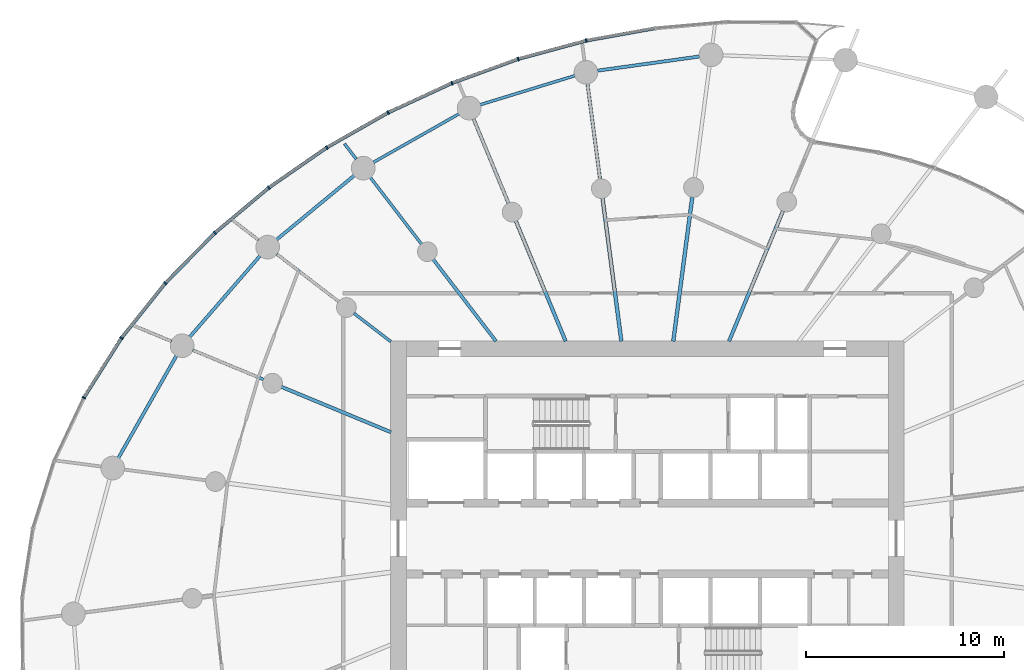
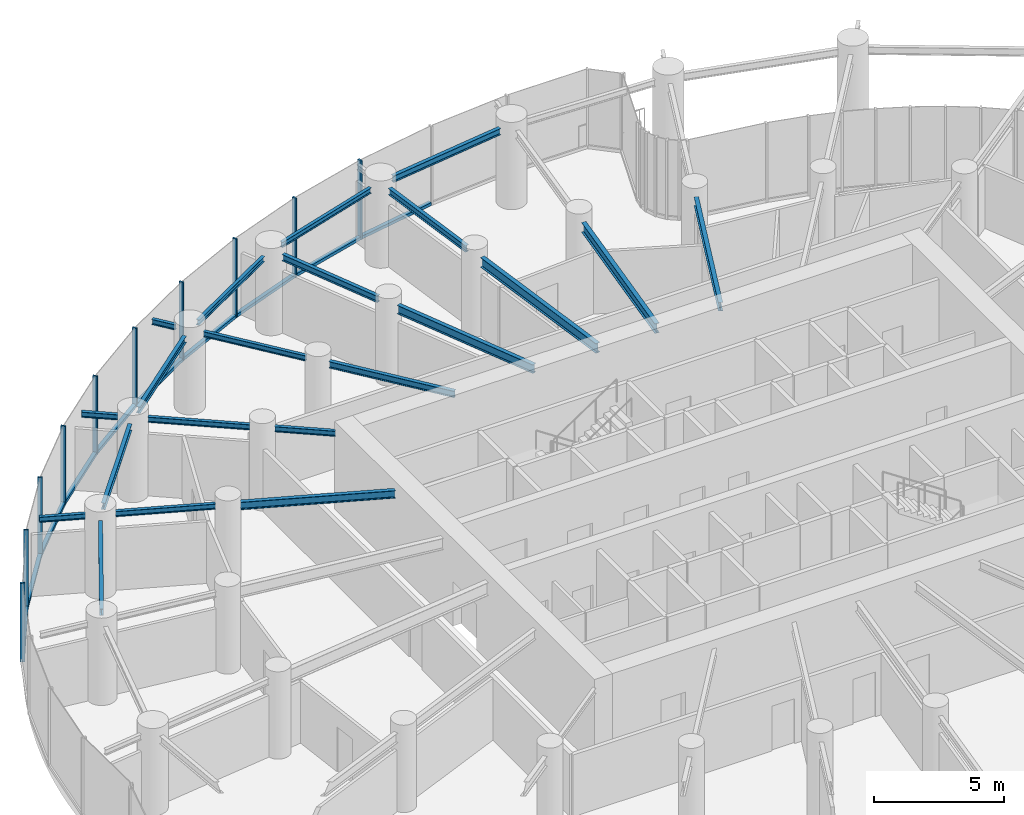
# One storey, part 6 of 21: 21 beams, 20 members, 3 elements without a shape of their own.
"""IFC4 building model written with IfcOpenShell, lengths in metres."""

from ifc_helpers import new_model, si_unit, direction, frame, origin, origin_2d, place, context, subcontext, project, spatial, rectangle, i_section, extrude, source, transform, mapped, material, layer, layer_set, material_profile, profile_set, type_object, element, aggregate, save


model = new_model("IFC4")

# Units and contexts
model_context = context("Model", 3, precision=1e-05, world=origin(), true_north=direction((0.0, 1.0)))
body_context = subcontext(model_context, "Body", "Model", "MODEL_VIEW")
ifc_project = project(units=[si_unit("LENGTHUNIT", "METRE"), si_unit("AREAUNIT", "SQUARE_METRE"), si_unit("VOLUMEUNIT", "CUBIC_METRE"), si_unit("PLANEANGLEUNIT", "RADIAN"), si_unit("MASSUNIT", "GRAM", prefix="KILO")], contexts=[model_context])

# Site, building, storey
site_placement = place(None, origin())
site = spatial("IfcSite", under=ifc_project, at=site_placement, CompositionType="ELEMENT")
building_placement = place(site_placement, origin())
building = spatial("IfcBuilding", under=site, at=building_placement, Name="Spindrift Exchange Tower", CompositionType="ELEMENT")
storey_placement = place(building_placement, frame((0.0, 0.0, 83.89990234375)))
storey = spatial("IfcBuildingStorey", under=building, at=storey_placement, Name="L19", CompositionType="ELEMENT", Elevation=83.89990234375)

# Beams
ifc_material_1 = material(Name="Steel Grade 300", Category="steel")
ifc_material_profile_1 = material_profile(ifc_material_1, i_section(OverallWidth=0.177978515625, OverallDepth=0.406005859375, WebThickness=0.0078125, FlangeThickness=0.0126953125, FilletRadius=0.013916015625, at=origin_2d()), Name="410UB59.7")
ifc_profile_set_1 = profile_set([ifc_material_profile_1], Name="Steel Grade 300")
beam_type_1 = type_object("IfcBeamType", Name="Floor Beam 410UB59.7 Steel Grade 300", PredefinedType="BEAM", material=ifc_profile_set_1)
shared_shape_1 = source(origin(), body_context, "Body", "SweptSolid", [
    extrude(i_section(OverallWidth=0.177978515625, OverallDepth=0.406005859375, WebThickness=0.0078125, FlangeThickness=0.0126953125, FilletRadius=0.013916015625, at=origin_2d()), origin(), (0.0, 0.0, 1.0), 7.150634765625),
])
beam_1_placement = place(storey_placement, frame((56.134521484375, 57.9814453125, 3.4970703125), z_axis=(0.382665393358, 0.923887004306, 0.0), x_axis=(-0.923887004306, 0.382665393358, 0.0)))
element("IfcBeam", 1, at=beam_1_placement, inside=storey, type_object=beam_type_1, Name="L19 radial beam R05A", PredefinedType="BEAM", context=body_context, shape_type="MappedRepresentation", body=[
    mapped(shared_shape_1, transform((0.0, 0.0, 0.0), scale=1.0)),
])
ifc_material_profile_2 = material_profile(ifc_material_1, i_section(OverallWidth=0.18994140625, OverallDepth=0.45703125, WebThickness=0.009033203125, FlangeThickness=0.014404296875, FilletRadius=0.013916015625, at=origin_2d()), Name="460UB74.6")
ifc_profile_set_2 = profile_set([ifc_material_profile_2], Name="Steel Grade 300")
beam_type_2 = type_object("IfcBeamType", Name="Floor Beam 460UB74.6 Steel Grade 300", PredefinedType="BEAM", material=ifc_profile_set_2)
shared_shape_2 = source(origin(), body_context, "Body", "SweptSolid", [
    extrude(i_section(OverallWidth=0.18994140625, OverallDepth=0.45703125, WebThickness=0.009033203125, FlangeThickness=0.014404296875, FilletRadius=0.013916015625, at=origin_2d()), origin(), (0.0, 0.0, 1.0), 7.374267578125),
])
beam_2_placement = place(storey_placement, frame((53.31396484375, 57.980224609375, 3.4716796875), z_axis=(0.130539295622, 0.99144313619, 0.0), x_axis=(-0.99144313619, 0.130539295622, 0.0)))
element("IfcBeam", 2, at=beam_2_placement, inside=storey, type_object=beam_type_2, Name="L19 radial beam R06A", PredefinedType="BEAM", context=body_context, shape_type="MappedRepresentation", body=[
    mapped(shared_shape_2, transform((0.0, 0.0, 0.0), scale=1.0)),
])
shared_shape_3 = source(origin(), body_context, "Body", "SweptSolid", [
    extrude(i_section(OverallWidth=0.18994140625, OverallDepth=0.45703125, WebThickness=0.009033203125, FlangeThickness=0.014404296875, FilletRadius=0.013916015625, at=origin_2d()), origin(), (0.0, 0.0, 1.0), 7.3095703125),
])
beam_3_placement = place(storey_placement, frame((50.68603515625, 57.980224609375, 3.4716796875), z_axis=(-0.130527087244, 0.991444743541, 0.0), x_axis=(-0.991444743541, -0.130527087244, 0.0)))
element("IfcBeam", 3, at=beam_3_placement, inside=storey, type_object=beam_type_2, Name="L19 radial beam R07A", PredefinedType="BEAM", context=body_context, shape_type="MappedRepresentation", body=[
    mapped(shared_shape_3, transform((0.0, 0.0, 0.0), scale=1.0)),
])
shared_shape_4 = source(origin(), body_context, "Body", "SweptSolid", [
    extrude(i_section(OverallWidth=0.177978515625, OverallDepth=0.406005859375, WebThickness=0.0078125, FlangeThickness=0.0126953125, FilletRadius=0.013916015625, at=origin_2d()), origin(), (0.0, 0.0, 1.0), 6.594482421875),
])
beam_4_placement = place(storey_placement, frame((47.865478515625, 57.9814453125, 3.4970703125), z_axis=(-0.382692929746, 0.92387559851, 0.0), x_axis=(-0.92387559851, -0.382692929746, 0.0)))
element("IfcBeam", 4, at=beam_4_placement, inside=storey, type_object=beam_type_1, Name="L19 radial beam R08A", PredefinedType="BEAM", context=body_context, shape_type="MappedRepresentation", body=[
    mapped(shared_shape_4, transform((0.0, 0.0, 0.0), scale=1.0)),
])
ifc_material_profile_3 = material_profile(ifc_material_1, i_section(OverallWidth=0.1650390625, OverallDepth=0.303955078125, WebThickness=0.006103515625, FlangeThickness=0.01025390625, FilletRadius=0.011474609375, at=origin_2d()), Name="310UB40.4")
ifc_profile_set_3 = profile_set([ifc_material_profile_3], Name="Steel Grade 300")
beam_type_3 = type_object("IfcBeamType", Name="Floor Beam 310UB40.4 Steel Grade 300", PredefinedType="BEAM", material=ifc_profile_set_3)
shared_shape_5 = source(origin(), body_context, "Body", "SweptSolid", [
    extrude(i_section(OverallWidth=0.1650390625, OverallDepth=0.303955078125, WebThickness=0.006103515625, FlangeThickness=0.01025390625, FilletRadius=0.011474609375, at=origin_2d()), origin(), (0.0, 0.0, 1.0), 5.224609375),
])
beam_5_placement = place(storey_placement, frame((44.3388671875, 57.984130859375, 3.548095703125), z_axis=(-0.608741499316, 0.793368632485, 0.0), x_axis=(-0.793368632485, -0.608741499316, 0.0)))
element("IfcBeam", 5, at=beam_5_placement, inside=storey, type_object=beam_type_3, Name="L19 radial beam R09A", PredefinedType="BEAM", context=body_context, shape_type="MappedRepresentation", body=[
    mapped(shared_shape_5, transform((0.0, 0.0, 0.0), scale=1.0)),
])
ifc_material_profile_4 = material_profile(ifc_material_1, i_section(OverallWidth=0.14599609375, OverallDepth=0.251953125, WebThickness=0.006103515625, FlangeThickness=0.008544921875, FilletRadius=0.011962890625, at=origin_2d()), Name="250UB31.4")
ifc_profile_set_4 = profile_set([ifc_material_profile_4], Name="Steel Grade 300")
beam_type_4 = type_object("IfcBeamType", Name="Floor Beam 250UB31.4 Steel Grade 300", PredefinedType="BEAM", material=ifc_profile_set_4)
shared_shape_6 = source(origin(), body_context, "Body", "SweptSolid", [
    extrude(i_section(OverallWidth=0.14599609375, OverallDepth=0.251953125, WebThickness=0.006103515625, FlangeThickness=0.008544921875, FilletRadius=0.011962890625, at=origin_2d()), origin(), (0.0, 0.0, 1.0), 2.353759765625),
])
beam_6_placement = place(storey_placement, frame((39.015869140625, 57.963134765625, 3.57421875), z_axis=(-0.793367573265, 0.608742879787, 0.0), x_axis=(-0.608742879787, -0.793367573265, 0.0)))
element("IfcBeam", 6, at=beam_6_placement, inside=storey, type_object=beam_type_4, Name="L19 radial beam R10A", PredefinedType="BEAM", context=body_context, shape_type="MappedRepresentation", body=[
    mapped(shared_shape_6, transform((0.0, 0.0, 0.0), scale=1.0)),
])
ifc_material_profile_5 = material_profile(ifc_material_1, i_section(OverallWidth=0.172119140625, OverallDepth=0.35888671875, WebThickness=0.008056640625, FlangeThickness=0.012939453125, FilletRadius=0.013916015625, at=origin_2d()), Name="360UB56.7")
ifc_profile_set_5 = profile_set([ifc_material_profile_5], Name="Steel Grade 300")
beam_type_5 = type_object("IfcBeamType", Name="Floor Beam 360UB56.7 Steel Grade 300", PredefinedType="BEAM", material=ifc_profile_set_5)
shared_shape_7 = source(origin(), body_context, "Body", "SweptSolid", [
    extrude(i_section(OverallWidth=0.172119140625, OverallDepth=0.35888671875, WebThickness=0.008056640625, FlangeThickness=0.012939453125, FilletRadius=0.013916015625, at=origin_2d()), origin(), (0.0, 0.0, 1.0), 6.004638671875),
])
beam_7_placement = place(storey_placement, frame((39.0185546875, 53.377197265625, 3.5205078125), z_axis=(-0.923882044911, 0.38267736684, 0.0), x_axis=(-0.38267736684, -0.923882044911, 0.0)))
element("IfcBeam", 7, at=beam_7_placement, inside=storey, type_object=beam_type_5, Name="L19 radial beam R11A", PredefinedType="BEAM", context=body_context, shape_type="MappedRepresentation", body=[
    mapped(shared_shape_7, transform((0.0, 0.0, 0.0), scale=1.0)),
])
shared_shape_8 = source(origin(), body_context, "Body", "SweptSolid", [
    extrude(i_section(OverallWidth=0.1650390625, OverallDepth=0.303955078125, WebThickness=0.006103515625, FlangeThickness=0.01025390625, FilletRadius=0.011474609375, at=origin_2d()), origin(), (0.0, 0.0, 1.0), 4.883056640625),
])
beam_8_placement = place(storey_placement, frame((49.606689453125, 66.17919921875, 3.548095703125), z_axis=(-0.130542457964, 0.991442719812, 0.0), x_axis=(-0.991442719812, -0.130542457964, 0.0)))
element("IfcBeam", 8, at=beam_8_placement, inside=storey, type_object=beam_type_3, Name="L19 radial beam R07B", PredefinedType="BEAM", context=body_context, shape_type="MappedRepresentation", body=[
    mapped(shared_shape_8, transform((0.0, 0.0, 0.0), scale=1.0)),
])
shared_shape_9 = source(origin(), body_context, "Body", "SweptSolid", [
    extrude(i_section(OverallWidth=0.1650390625, OverallDepth=0.303955078125, WebThickness=0.006103515625, FlangeThickness=0.01025390625, FilletRadius=0.011474609375, at=origin_2d()), origin(), (0.0, 0.0, 1.0), 4.63671875),
])
beam_9_placement = place(storey_placement, frame((44.974609375, 64.9609375, 3.548095703125), z_axis=(-0.382692818086, 0.923875644763, 0.0), x_axis=(-0.923875644763, -0.382692818086, 0.0)))
element("IfcBeam", 9, at=beam_9_placement, inside=storey, type_object=beam_type_3, Name="L19 radial beam R08B", PredefinedType="BEAM", context=body_context, shape_type="MappedRepresentation", body=[
    mapped(shared_shape_9, transform((0.0, 0.0, 0.0), scale=1.0)),
])
shared_shape_10 = source(origin(), body_context, "Body", "SweptSolid", [
    extrude(i_section(OverallWidth=0.14599609375, OverallDepth=0.251953125, WebThickness=0.006103515625, FlangeThickness=0.008544921875, FilletRadius=0.011962890625, at=origin_2d()), origin(), (0.0, 0.0, 1.0), 4.27587890625),
])
beam_10_placement = place(storey_placement, frame((40.573974609375, 62.890625, 3.57421875), z_axis=(-0.608725184746, 0.793381150177, 0.0), x_axis=(-0.793381150177, -0.608725184746, 0.0)))
element("IfcBeam", 10, at=beam_10_placement, inside=storey, type_object=beam_type_4, Name="L19 radial beam R09B", PredefinedType="BEAM", context=body_context, shape_type="MappedRepresentation", body=[
    mapped(shared_shape_10, transform((0.0, 0.0, 0.0), scale=1.0)),
])
shared_shape_11 = source(origin(), body_context, "Body", "SweptSolid", [
    extrude(i_section(OverallWidth=0.14599609375, OverallDepth=0.251953125, WebThickness=0.006103515625, FlangeThickness=0.008544921875, FilletRadius=0.011962890625, at=origin_2d()), origin(), (0.0, 0.0, 1.0), 3.966064453125),
])
beam_11_placement = place(storey_placement, frame((36.38671875, 59.98046875, 3.57421875), z_axis=(-0.79336256318, 0.608749409318, 0.0), x_axis=(-0.608749409318, -0.79336256318, 0.0)))
element("IfcBeam", 11, at=beam_11_placement, inside=storey, type_object=beam_type_4, Name="L19 radial beam R10B", PredefinedType="BEAM", context=body_context, shape_type="MappedRepresentation", body=[
    mapped(shared_shape_11, transform((0.0, 0.0, 0.0), scale=1.0)),
])
shared_shape_12 = source(origin(), body_context, "Body", "SweptSolid", [
    extrude(i_section(OverallWidth=0.14599609375, OverallDepth=0.251953125, WebThickness=0.006103515625, FlangeThickness=0.008544921875, FilletRadius=0.011962890625, at=origin_2d()), origin(), (0.0, 0.0, 1.0), 3.892333984375),
])
beam_12_placement = place(storey_placement, frame((32.583984375, 56.04248046875, 3.57421875), z_axis=(-0.923878458273, 0.382686025794, 0.0), x_axis=(-0.382686025794, -0.923878458273, 0.0)))
element("IfcBeam", 12, at=beam_12_placement, inside=storey, type_object=beam_type_4, Name="L19 radial beam R11B", PredefinedType="BEAM", context=body_context, shape_type="MappedRepresentation", body=[
    mapped(shared_shape_12, transform((0.0, 0.0, 0.0), scale=1.0)),
])
ifc_material_profile_6 = material_profile(ifc_material_1, i_section(OverallWidth=0.1650390625, OverallDepth=0.303955078125, WebThickness=0.006103515625, FlangeThickness=0.01025390625, FilletRadius=0.011474609375, at=origin_2d()), Name="310UB40.4")
ifc_profile_set_6 = profile_set([ifc_material_profile_6], Name="Steel Grade 300")
beam_type_6 = type_object("IfcBeamType", Name="Edge Beam 310UB40.4 Steel Grade 300", PredefinedType="SPANDREL", material=ifc_profile_set_6)
shared_shape_13 = source(origin(), body_context, "Body", "SweptSolid", [
    extrude(i_section(OverallWidth=0.1650390625, OverallDepth=0.303955078125, WebThickness=0.006103515625, FlangeThickness=0.01025390625, FilletRadius=0.011474609375, at=origin_2d()), origin(), (0.0, 0.0, 1.0), 5.22998046875),
])
beam_13_placement = place(storey_placement, frame((54.64794921875, 72.396728515625, 3.548095703125), z_axis=(-0.990440078597, -0.137943650481, 0.0), x_axis=(0.137943650481, -0.990440078597, 0.0)))
element("IfcBeam", 13, at=beam_13_placement, inside=storey, type_object=beam_type_6, Name="L19 edge beam E06", PredefinedType="SPANDREL", context=body_context, shape_type="MappedRepresentation", body=[
    mapped(shared_shape_13, transform((0.0, 0.0, 0.0), scale=1.0)),
])
ifc_material_profile_7 = material_profile(ifc_material_1, i_section(OverallWidth=0.14599609375, OverallDepth=0.251953125, WebThickness=0.006103515625, FlangeThickness=0.008544921875, FilletRadius=0.011962890625, at=origin_2d()), Name="250UB31.4")
ifc_profile_set_7 = profile_set([ifc_material_profile_7], Name="Steel Grade 300")
beam_type_7 = type_object("IfcBeamType", Name="Edge Beam 250UB31.4 Steel Grade 300", PredefinedType="SPANDREL", material=ifc_profile_set_7)
shared_shape_14 = source(origin(), body_context, "Body", "SweptSolid", [
    extrude(i_section(OverallWidth=0.14599609375, OverallDepth=0.251953125, WebThickness=0.006103515625, FlangeThickness=0.008544921875, FilletRadius=0.011962890625, at=origin_2d()), origin(), (0.0, 0.0, 1.0), 5.027587890625),
])
beam_14_placement = place(storey_placement, frame((48.339111328125, 71.42529296875, 3.57421875), z_axis=(-0.956018084082, -0.293307727325, 0.0), x_axis=(0.293307727325, -0.956018084082, 0.0)))
element("IfcBeam", 14, at=beam_14_placement, inside=storey, type_object=beam_type_7, Name="L19 edge beam E07", PredefinedType="SPANDREL", context=body_context, shape_type="MappedRepresentation", body=[
    mapped(shared_shape_14, transform((0.0, 0.0, 0.0), scale=1.0)),
])
shared_shape_15 = source(origin(), body_context, "Body", "SweptSolid", [
    extrude(i_section(OverallWidth=0.14599609375, OverallDepth=0.251953125, WebThickness=0.006103515625, FlangeThickness=0.008544921875, FilletRadius=0.011962890625, at=origin_2d()), origin(), (0.0, 0.0, 1.0), 5.0009765625),
])
beam_15_placement = place(storey_placement, frame((42.4736328125, 69.494384765625, 3.57421875), z_axis=(-0.870045916697, -0.492970691663, 0.0), x_axis=(0.492970691663, -0.870045916697, 0.0)))
element("IfcBeam", 15, at=beam_15_placement, inside=storey, type_object=beam_type_7, Name="L19 edge beam E08", PredefinedType="SPANDREL", context=body_context, shape_type="MappedRepresentation", body=[
    mapped(shared_shape_15, transform((0.0, 0.0, 0.0), scale=1.0)),
])
shared_shape_16 = source(origin(), body_context, "Body", "SweptSolid", [
    extrude(i_section(OverallWidth=0.1650390625, OverallDepth=0.303955078125, WebThickness=0.006103515625, FlangeThickness=0.01025390625, FilletRadius=0.011474609375, at=origin_2d()), origin(), (0.0, 0.0, 1.0), 5.114501953125),
])
beam_16_placement = place(storey_placement, frame((37.1708984375, 66.373779296875, 3.548095703125), z_axis=(-0.771073837992, -0.63674573918, 0.0), x_axis=(0.63674573918, -0.771073837992, 0.0)))
element("IfcBeam", 16, at=beam_16_placement, inside=storey, type_object=beam_type_6, Name="L19 edge beam E09", PredefinedType="SPANDREL", context=body_context, shape_type="MappedRepresentation", body=[
    mapped(shared_shape_16, transform((0.0, 0.0, 0.0), scale=1.0)),
])
shared_shape_17 = source(origin(), body_context, "Body", "SweptSolid", [
    extrude(i_section(OverallWidth=0.1650390625, OverallDepth=0.303955078125, WebThickness=0.006103515625, FlangeThickness=0.01025390625, FilletRadius=0.011474609375, at=origin_2d()), origin(), (0.0, 0.0, 1.0), 5.448486328125),
])
beam_17_placement = place(storey_placement, frame((32.400390625, 62.3095703125, 3.548095703125), z_axis=(-0.654922008827, -0.755696475018, 0.0), x_axis=(0.755696475018, -0.654922008827, 0.0)))
element("IfcBeam", 17, at=beam_17_placement, inside=storey, type_object=beam_type_6, Name="L19 edge beam E10", PredefinedType="SPANDREL", context=body_context, shape_type="MappedRepresentation", body=[
    mapped(shared_shape_17, transform((0.0, 0.0, 0.0), scale=1.0)),
])
shared_shape_18 = source(origin(), body_context, "Body", "SweptSolid", [
    extrude(i_section(OverallWidth=0.1650390625, OverallDepth=0.303955078125, WebThickness=0.006103515625, FlangeThickness=0.01025390625, FilletRadius=0.011474609375, at=origin_2d()), origin(), (0.0, 0.0, 1.0), 5.9599609375),
])
beam_18_placement = place(storey_placement, frame((28.165771484375, 57.24951171875, 3.548095703125), z_axis=(-0.493940434745, -0.869495742901, 0.0), x_axis=(0.869495742901, -0.493940434745, 0.0)))
element("IfcBeam", 18, at=beam_18_placement, inside=storey, type_object=beam_type_6, Name="L19 edge beam E11", PredefinedType="SPANDREL", context=body_context, shape_type="MappedRepresentation", body=[
    mapped(shared_shape_18, transform((0.0, 0.0, 0.0), scale=1.0)),
])
ifc_material_profile_8 = material_profile(ifc_material_1, i_section(OverallWidth=0.14599609375, OverallDepth=0.251953125, WebThickness=0.006103515625, FlangeThickness=0.008544921875, FilletRadius=0.011962890625, at=origin_2d()), Name="250UB31.4")
ifc_profile_set_8 = profile_set([ifc_material_profile_8], Name="Steel Grade 300")
beam_type_8 = type_object("IfcBeamType", Name="Cantilever Beam 250UB31.4 Steel Grade 300", PredefinedType="BEAM", material=ifc_profile_set_8)
shared_shape_19 = source(origin(), body_context, "Body", "SweptSolid", [
    extrude(i_section(OverallWidth=0.14599609375, OverallDepth=0.251953125, WebThickness=0.006103515625, FlangeThickness=0.008544921875, FilletRadius=0.011962890625, at=origin_2d()), origin(), (0.0, 0.0, 1.0), 0.982666015625),
])
beam_19_placement = place(storey_placement, frame((37.264892578125, 67.203125, 3.57421875), z_axis=(-0.608749688417, 0.793362349026, 0.0), x_axis=(-0.793362349026, -0.608749688417, 0.0)))
element("IfcBeam", 19, at=beam_19_placement, inside=storey, type_object=beam_type_8, Name="L19 cantilever beam R09T", PredefinedType="BEAM", context=body_context, shape_type="MappedRepresentation", body=[
    mapped(shared_shape_19, transform((0.0, 0.0, 0.0), scale=1.0)),
])
shared_shape_20 = source(origin(), body_context, "Body", "SweptSolid", [
    extrude(i_section(OverallWidth=0.14599609375, OverallDepth=0.251953125, WebThickness=0.006103515625, FlangeThickness=0.008544921875, FilletRadius=0.011962890625, at=origin_2d()), origin(), (0.0, 0.0, 1.0), 1.410888671875),
])
beam_20_placement = place(storey_placement, frame((32.320068359375, 63.10107421875, 3.57421875), z_axis=(-0.793369572621, 0.608740274041, 0.0), x_axis=(-0.608740274041, -0.793369572621, 0.0)))
element("IfcBeam", 20, at=beam_20_placement, inside=storey, type_object=beam_type_8, Name="L19 cantilever beam R10T", PredefinedType="BEAM", context=body_context, shape_type="MappedRepresentation", body=[
    mapped(shared_shape_20, transform((0.0, 0.0, 0.0), scale=1.0)),
])
shared_shape_21 = source(origin(), body_context, "Body", "SweptSolid", [
    extrude(i_section(OverallWidth=0.14599609375, OverallDepth=0.251953125, WebThickness=0.006103515625, FlangeThickness=0.008544921875, FilletRadius=0.011962890625, at=origin_2d()), origin(), (0.0, 0.0, 1.0), 1.790283203125),
])
beam_21_placement = place(storey_placement, frame((27.91650390625, 57.975830078125, 3.57421875), z_axis=(-0.923893845705, 0.382648875431, 0.0), x_axis=(-0.382648875431, -0.923893845705, 0.0)))
element("IfcBeam", 21, at=beam_21_placement, inside=storey, type_object=beam_type_8, Name="L19 cantilever beam R11T", PredefinedType="BEAM", context=body_context, shape_type="MappedRepresentation", body=[
    mapped(shared_shape_21, transform((0.0, 0.0, 0.0), scale=1.0)),
])

# Curtain wall, member
ifc_material_2 = material(Name="Fritted laminated glass with bronze frame", Category="glass")
ifc_layer = layer(ifc_material_2, 0.18994140625)
ifc_layer_set = layer_set([ifc_layer], Name="ZONE 2 BRONZE FRITTED WALL")
curtain_wall_type = type_object("IfcCurtainWallType", Name="ZONE 2 BRONZE FRITTED WALL", PredefinedType="NOTDEFINED", material=ifc_layer_set)
curtain_wall_1_placement = place(storey_placement, origin())
curtain_wall_1 = element("IfcCurtainWall", 22, at=curtain_wall_1_placement, inside=storey, type_object=curtain_wall_type, Name="L19 Zone 2 Bronze Fritted Wall run 2", PredefinedType="NOTDEFINED")
ifc_material_3 = material(Name="Bronze anodised aluminium", Category="aluminium")
ifc_material_profile_9 = material_profile(ifc_material_3, rectangle(XDim=0.169921875, YDim=0.139892578125, at=origin_2d()), Name="ZONE 2 BRONZE FRITTED WALL TRANSOM 170X140")
ifc_profile_set_9 = profile_set([ifc_material_profile_9], Name="Bronze anodised aluminium")
member_type_1 = type_object("IfcMemberType", Name="ZONE 2 BRONZE FRITTED WALL TRANSOM 170X140", PredefinedType="USERDEFINED", material=ifc_profile_set_9)
shared_shape_22 = source(origin(), body_context, "Body", "SweptSolid", [
    extrude(rectangle(XDim=0.169921875, YDim=0.139892578125, at=origin_2d()), origin(), (0.0, 0.0, 1.0), 3.4912109375),
])
member_1_placement = place(storey_placement, frame((30.082275390625, 63.440673828125, 0.070068359375), z_axis=(-0.701666523253, -0.712505501836, 0.0), x_axis=(0.712505501836, -0.701666523253, 0.0)))
member_1 = element("IfcMember", 23, at=member_1_placement, type_object=member_type_1, Name="L19 transom CW-2.10", ObjectType="TRANSOM", PredefinedType="USERDEFINED", context=body_context, shape_type="MappedRepresentation", body=[
    mapped(shared_shape_22, transform((0.0, 0.0, 0.0), scale=1.0)),
])

# Curtain wall, members
curtain_wall_2_placement = place(storey_placement, origin())
curtain_wall_2 = element("IfcCurtainWall", 24, at=curtain_wall_2_placement, inside=storey, type_object=curtain_wall_type, Name="L19 Zone 2 Bronze Fritted Wall run 1", PredefinedType="NOTDEFINED")
shared_shape_23 = source(origin(), body_context, "Body", "SweptSolid", [
    extrude(rectangle(XDim=0.169921875, YDim=0.139892578125, at=origin_2d()), origin(), (0.0, 0.0, 1.0), 3.49169921875),
])
member_2_placement = place(storey_placement, frame((48.870849609375, 73.189208984375, 0.070068359375), z_axis=(-0.965356729331, -0.260933679573, 0.0), x_axis=(0.260933679573, -0.965356729331, 0.0)))
member_2 = element("IfcMember", 25, at=member_2_placement, type_object=member_type_1, Name="L19 transom CW-2.4", ObjectType="TRANSOM", PredefinedType="USERDEFINED", context=body_context, shape_type="MappedRepresentation", body=[
    mapped(shared_shape_23, transform((0.0, 0.0, 0.0), scale=1.0)),
])
member_3_placement = place(storey_placement, frame((45.4287109375, 72.255615234375, 0.070068359375), z_axis=(-0.939838326232, -0.341619555272, 0.0), x_axis=(0.341619555272, -0.939838326232, 0.0)))
member_3 = element("IfcMember", 26, at=member_3_placement, type_object=member_type_1, Name="L19 transom CW-2.5", ObjectType="TRANSOM", PredefinedType="USERDEFINED", context=body_context, shape_type="MappedRepresentation", body=[
    mapped(shared_shape_23, transform((0.0, 0.0, 0.0), scale=1.0)),
])

# Member
member_4_placement = place(storey_placement, frame((38.841552734375, 69.534912109375, 0.070068359375), z_axis=(-0.868707471781, -0.49532547731, 0.0), x_axis=(0.49532547731, -0.868707471781, 0.0)))
member_4 = element("IfcMember", 27, at=member_4_placement, type_object=member_type_1, Name="L19 transom CW-2.7", ObjectType="TRANSOM", PredefinedType="USERDEFINED", context=body_context, shape_type="MappedRepresentation", body=[
    mapped(shared_shape_23, transform((0.0, 0.0, 0.0), scale=1.0)),
])

member_5_placement = place(storey_placement, frame((35.744873046875, 67.765625, 0.070068359375), z_axis=(-0.822076383317, -0.569377221175, 0.0), x_axis=(0.569377221175, -0.822076383317, 0.0)))
member_5 = element("IfcMember", 28, at=member_5_placement, type_object=member_type_1, Name="L19 transom CW-2.8", ObjectType="TRANSOM", PredefinedType="USERDEFINED", context=body_context, shape_type="MappedRepresentation", body=[
    mapped(shared_shape_23, transform((0.0, 0.0, 0.0), scale=1.0)),
])

shared_shape_24 = source(origin(), body_context, "Body", "SweptSolid", [
    extrude(rectangle(XDim=0.169921875, YDim=0.139892578125, at=origin_2d()), origin(), (0.0, 0.0, 1.0), 3.490478515625),
])
member_6_placement = place(storey_placement, frame((25.35888671875, 58.10986328125, 0.070068359375), z_axis=(-0.533458683056, -0.845826124846, 0.0), x_axis=(0.845826124846, -0.533458683056, 0.0)))
member_6 = element("IfcMember", 29, at=member_6_placement, type_object=member_type_1, Name="L19 transom CW-2.12", ObjectType="TRANSOM", PredefinedType="USERDEFINED", context=body_context, shape_type="MappedRepresentation", body=[
    mapped(shared_shape_24, transform((0.0, 0.0, 0.0), scale=1.0)),
])

shared_shape_25 = source(origin(), body_context, "Body", "SweptSolid", [
    extrude(rectangle(XDim=0.169921875, YDim=0.139892578125, at=origin_2d()), origin(), (0.0, 0.0, 1.0), 3.491455078125),
])
member_7_placement = place(storey_placement, frame((52.38037109375, 73.822998046875, 0.070068359375), z_axis=(-0.984240327741, -0.176836017964, 0.0), x_axis=(0.176836017964, -0.984240327741, 0.0)))
member_7 = element("IfcMember", 30, at=member_7_placement, type_object=member_type_1, Name="L19 transom CW-2.3", ObjectType="TRANSOM", PredefinedType="USERDEFINED", context=body_context, shape_type="MappedRepresentation", body=[
    mapped(shared_shape_25, transform((0.0, 0.0, 0.0), scale=1.0)),
])

member_8_placement = place(storey_placement, frame((42.07763671875, 71.0341796875, 0.070068359375), z_axis=(-0.907738233837, -0.419537005317, 0.0), x_axis=(0.419537005317, -0.907738233837, 0.0)))
member_8 = element("IfcMember", 31, at=member_8_placement, type_object=member_type_1, Name="L19 transom CW-2.6", ObjectType="TRANSOM", PredefinedType="USERDEFINED", context=body_context, shape_type="MappedRepresentation", body=[
    mapped(shared_shape_25, transform((0.0, 0.0, 0.0), scale=1.0)),
])

member_9_placement = place(storey_placement, frame((32.81494140625, 65.732177734375, 0.070068359375), z_axis=(-0.766884126169, -0.641785584935, 0.0), x_axis=(0.641785584935, -0.766884126169, 0.0)))
member_9 = element("IfcMember", 32, at=member_9_placement, type_object=member_type_1, Name="L19 transom CW-2.9", ObjectType="TRANSOM", PredefinedType="USERDEFINED", context=body_context, shape_type="MappedRepresentation", body=[
    mapped(shared_shape_25, transform((0.0, 0.0, 0.0), scale=1.0)),
])

ifc_material_profile_10 = material_profile(ifc_material_3, rectangle(XDim=0.074951171875, YDim=0.18994140625, at=origin_2d()), Name="ZONE 2 BRONZE FRITTED WALL MULLION 75X190")
ifc_profile_set_10 = profile_set([ifc_material_profile_10], Name="Bronze anodised aluminium")
member_type_2 = type_object("IfcMemberType", Name="ZONE 2 BRONZE FRITTED WALL MULLION 75X190", PredefinedType="MULLION", material=ifc_profile_set_10)
shared_shape_26 = source(origin(), body_context, "Body", "SweptSolid", [
    extrude(rectangle(XDim=0.074951171875, YDim=0.18994140625, at=origin_2d()), origin(), (0.0, 0.0, 1.0), 3.7001953125),
])
member_10_placement = place(storey_placement, frame((48.906982421875, 73.198974609375, 0.0), z_axis=(0.0, 0.0, 1.0), x_axis=(-0.975710020232, -0.219066100571, 0.0)))
member_10 = element("IfcMember", 33, at=member_10_placement, type_object=member_type_2, Name="L19 mullion CW-2.4", PredefinedType="MULLION", context=body_context, shape_type="MappedRepresentation", body=[
    mapped(shared_shape_26, transform((0.0, 0.0, 0.0), scale=1.0)),
])

member_11_placement = place(storey_placement, frame((45.4638671875, 72.268310546875, 0.0), z_axis=(0.0, 0.0, 1.0), x_axis=(-0.953457242442, -0.301528252135, 0.0)))
member_11 = element("IfcMember", 34, at=member_11_placement, type_object=member_type_2, Name="L19 mullion CW-2.5", PredefinedType="MULLION", context=body_context, shape_type="MappedRepresentation", body=[
    mapped(shared_shape_26, transform((0.0, 0.0, 0.0), scale=1.0)),
])

member_12_placement = place(storey_placement, frame((42.11181640625, 71.050048828125, 0.0), z_axis=(0.0, 0.0, 1.0), x_axis=(-0.924608859487, -0.380917913675, 0.0)))
member_12 = element("IfcMember", 35, at=member_12_placement, type_object=member_type_2, Name="L19 mullion CW-2.6", PredefinedType="MULLION", context=body_context, shape_type="MappedRepresentation", body=[
    mapped(shared_shape_26, transform((0.0, 0.0, 0.0), scale=1.0)),
])

aggregate(curtain_wall_2, [member_7, member_10, member_2, member_11, member_3, member_12, member_8])

member_13_placement = place(storey_placement, frame((38.874267578125, 69.5537109375, 0.0), z_axis=(0.0, 0.0, 1.0), x_axis=(-0.889023285959, -0.457861984689, 0.0)))
member_13 = element("IfcMember", 36, at=member_13_placement, type_object=member_type_2, Name="L19 mullion CW-2.7", PredefinedType="MULLION", context=body_context, shape_type="MappedRepresentation", body=[
    mapped(shared_shape_26, transform((0.0, 0.0, 0.0), scale=1.0)),
])

member_14_placement = place(storey_placement, frame((35.77587890625, 67.786865234375, 0.0), z_axis=(0.0, 0.0, 1.0), x_axis=(-0.846212336635, -0.532845832607, 0.0)))
member_14 = element("IfcMember", 37, at=member_14_placement, type_object=member_type_2, Name="L19 mullion CW-2.8", PredefinedType="MULLION", context=body_context, shape_type="MappedRepresentation", body=[
    mapped(shared_shape_26, transform((0.0, 0.0, 0.0), scale=1.0)),
])

member_15_placement = place(storey_placement, frame((32.84375, 65.75634765625, 0.0), z_axis=(0.0, 0.0, 1.0), x_axis=(-0.795321885366, -0.606187346171, 0.0)))
member_15 = element("IfcMember", 38, at=member_15_placement, type_object=member_type_2, Name="L19 mullion CW-2.9", PredefinedType="MULLION", context=body_context, shape_type="MappedRepresentation", body=[
    mapped(shared_shape_26, transform((0.0, 0.0, 0.0), scale=1.0)),
])

member_16_placement = place(storey_placement, frame((30.108642578125, 63.467529296875, 0.0), z_axis=(0.0, 0.0, 1.0), x_axis=(-0.735133677318, -0.677922175824, 0.0)))
member_16 = element("IfcMember", 39, at=member_16_placement, type_object=member_type_2, Name="L19 mullion CW-2.10", PredefinedType="MULLION", context=body_context, shape_type="MappedRepresentation", body=[
    mapped(shared_shape_26, transform((0.0, 0.0, 0.0), scale=1.0)),
])

member_17_placement = place(storey_placement, frame((27.606201171875, 60.926513671875, 0.0), z_axis=(0.0, 0.0, 1.0), x_axis=(-0.664022630296, -0.747712475792, 0.0)))
member_17 = element("IfcMember", 40, at=member_17_placement, type_object=member_type_2, Name="L19 mullion CW-2.11", PredefinedType="MULLION", context=body_context, shape_type="MappedRepresentation", body=[
    mapped(shared_shape_26, transform((0.0, 0.0, 0.0), scale=1.0)),
])

member_18_placement = place(storey_placement, frame((25.37890625, 58.1416015625, 0.0), z_axis=(0.0, 0.0, 1.0), x_axis=(-0.579948857204, -0.814652884993, 0.0)))
member_18 = element("IfcMember", 41, at=member_18_placement, type_object=member_type_2, Name="L19 mullion CW-2.12", PredefinedType="MULLION", context=body_context, shape_type="MappedRepresentation", body=[
    mapped(shared_shape_26, transform((0.0, 0.0, 0.0), scale=1.0)),
])

# Curtain wall, member
curtain_wall_3_placement = place(storey_placement, origin())
curtain_wall_3 = element("IfcCurtainWall", 42, at=curtain_wall_3_placement, inside=storey, type_object=curtain_wall_type, Name="L19 Zone 2 Bronze Fritted Wall run 3", PredefinedType="NOTDEFINED")
member_19_placement = place(storey_placement, frame((23.476806640625, 55.125732421875, 0.0), z_axis=(0.0, 0.0, 1.0), x_axis=(-0.48057366018, -0.876954364344, 0.0)))
member_19 = element("IfcMember", 43, at=member_19_placement, type_object=member_type_2, Name="L19 mullion CW-2.13", PredefinedType="MULLION", context=body_context, shape_type="MappedRepresentation", body=[
    mapped(shared_shape_26, transform((0.0, 0.0, 0.0), scale=1.0)),
])
aggregate(curtain_wall_3, [member_19])

# Member
shared_shape_27 = source(origin(), body_context, "Body", "SweptSolid", [
    extrude(rectangle(XDim=0.169921875, YDim=0.139892578125, at=origin_2d()), origin(), (0.0, 0.0, 1.0), 3.490966796875),
])
member_20_placement = place(storey_placement, frame((27.582763671875, 60.897216796875, 0.070068359375), z_axis=(-0.62458416964, -0.780957498866, 0.0), x_axis=(0.780957498866, -0.62458416964, 0.0)))
member_20 = element("IfcMember", 44, at=member_20_placement, type_object=member_type_1, Name="L19 transom CW-2.11", ObjectType="TRANSOM", PredefinedType="USERDEFINED", context=body_context, shape_type="MappedRepresentation", body=[
    mapped(shared_shape_27, transform((0.0, 0.0, 0.0), scale=1.0)),
])

aggregate(curtain_wall_1, [member_13, member_4, member_14, member_5, member_15, member_9, member_16, member_1, member_17, member_20, member_18, member_6])

save(model, "model.ifc")
